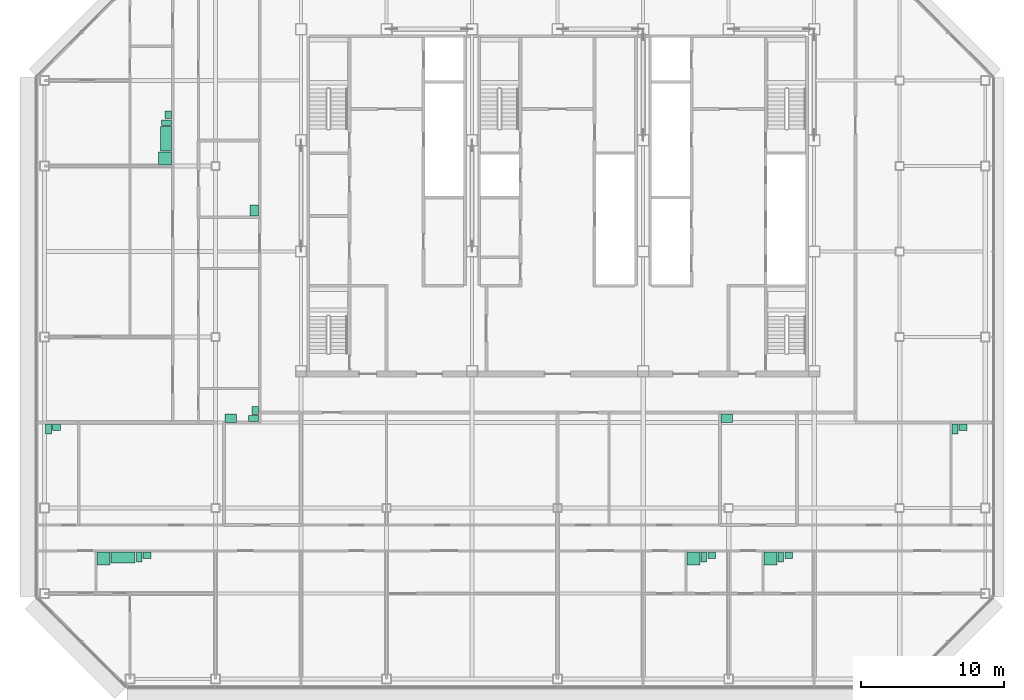
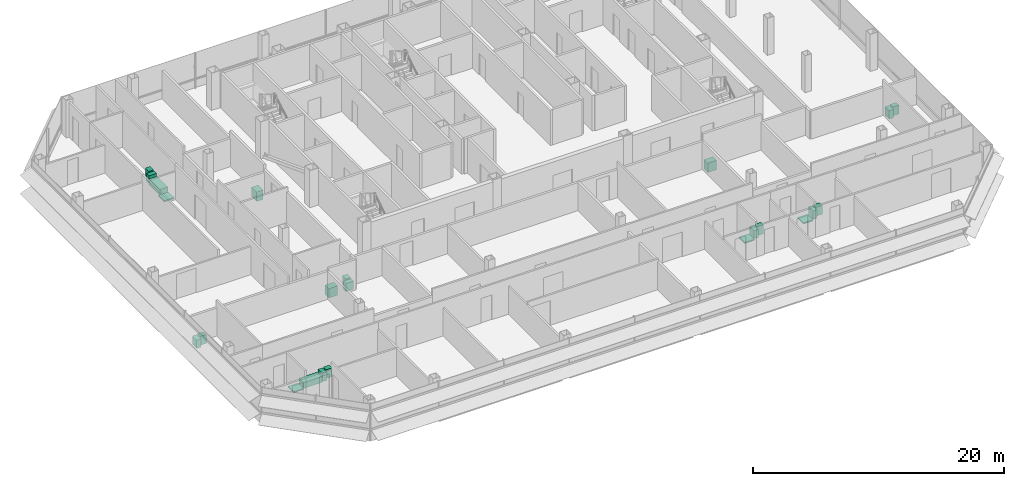
# One storey, part 26 of 26: 23 sanitary terminals.
"""IFC4 building model written with IfcOpenShell, lengths in metres."""

from ifc_helpers import new_model, si_unit, direction, frame, origin, origin_2d, place, context, subcontext, project, spatial, rectangle, extrude, element, save


model = new_model("IFC4")

# Units and contexts
model_context = context("Model", 3, precision=1e-05, world=origin(), true_north=direction((0.0, 1.0)))
body_context = subcontext(model_context, "Body", "Model", "MODEL_VIEW")
ifc_project = project(units=[si_unit("LENGTHUNIT", "METRE"), si_unit("AREAUNIT", "SQUARE_METRE"), si_unit("VOLUMEUNIT", "CUBIC_METRE"), si_unit("PLANEANGLEUNIT", "RADIAN"), si_unit("MASSUNIT", "GRAM", prefix="KILO")], contexts=[model_context])

# Site, building, storey
site_placement = place(None, origin())
site = spatial("IfcSite", under=ifc_project, at=site_placement, CompositionType="ELEMENT")
building_placement = place(site_placement, origin())
building = spatial("IfcBuilding", under=site, at=building_placement, Name="Sorahane Residences", CompositionType="ELEMENT")
storey_placement = place(building_placement, frame((0.0, 0.0, 243.199951171875)))
storey = spatial("IfcBuildingStorey", under=building, at=storey_placement, Name="L57", CompositionType="ELEMENT", Elevation=243.199951171875)

# Sanitary terminals
sanitary_terminal_1_placement = place(storey_placement, frame((-7.8701171875, 8.449951171875, 0.0), z_axis=(0.0, 0.0, 1.0), x_axis=(1.0, 0.0, 0.0)))
element("IfcSanitaryTerminal", 1, at=sanitary_terminal_1_placement, inside=storey, Name="Shower tray En-suite bathroom 57A", PredefinedType="SHOWER", context=body_context, shape_type="SweptSolid", body=[
    extrude(rectangle(XDim=0.89990234375, YDim=0.89990234375, at=origin_2d()), origin(), (0.0, 0.0, 1.0), 0.1201171875),
])
sanitary_terminal_2_placement = place(storey_placement, frame((-6.489990234375, 8.52490234375, 0.0), z_axis=(0.0, 0.0, 1.0), x_axis=(1.0, 0.0, 0.0)))
element("IfcSanitaryTerminal", 2, at=sanitary_terminal_2_placement, inside=storey, Name="Bath En-suite bathroom 57A", PredefinedType="BATH", context=body_context, shape_type="SweptSolid", body=[
    extrude(rectangle(XDim=1.699951171875, YDim=0.75, at=origin_2d()), origin(), (0.0, 0.0, 1.0), 0.56005859375),
])
sanitary_terminal_3_placement = place(storey_placement, frame((-5.360107421875, 8.550048828125, 0.0), z_axis=(0.0, 0.0, 1.0), x_axis=(1.0, 0.0, 0.0)))
element("IfcSanitaryTerminal", 3, at=sanitary_terminal_3_placement, inside=storey, Name="WC pan En-suite bathroom 57A", PredefinedType="TOILETPAN", context=body_context, shape_type="SweptSolid", body=[
    extrude(rectangle(XDim=0.39990234375, YDim=0.699951171875, at=origin_2d()), origin(), (0.0, 0.0, 1.0), 0.800048828125),
])
sanitary_terminal_4_placement = place(storey_placement, frame((-4.804931640625, 8.675048828125, 0.0), z_axis=(0.0, 0.0, 1.0), x_axis=(1.0, 0.0, 0.0)))
element("IfcSanitaryTerminal", 4, at=sanitary_terminal_4_placement, inside=storey, Name="Wash basin En-suite bathroom 57A", PredefinedType="WASHHANDBASIN", context=body_context, shape_type="SweptSolid", body=[
    extrude(rectangle(XDim=0.550048828125, YDim=0.449951171875, at=origin_2d()), origin(), (0.0, 0.0, 1.0), 0.85009765625),
])
sanitary_terminal_5_placement = place(storey_placement, frame((-11.719970703125, 17.550048828125, 0.0), z_axis=(0.0, 0.0, 1.0), x_axis=(1.0, 0.0, 0.0)))
element("IfcSanitaryTerminal", 5, at=sanitary_terminal_5_placement, inside=storey, Name="WC pan Powder room 57A", PredefinedType="TOILETPAN", context=body_context, shape_type="SweptSolid", body=[
    extrude(rectangle(XDim=0.39990234375, YDim=0.699951171875, at=origin_2d()), origin(), (0.0, 0.0, 1.0), 0.800048828125),
])
sanitary_terminal_6_placement = place(storey_placement, frame((-11.1650390625, 17.675048828125, 0.0), z_axis=(0.0, 0.0, 1.0), x_axis=(1.0, 0.0, 0.0)))
element("IfcSanitaryTerminal", 6, at=sanitary_terminal_6_placement, inside=storey, Name="Wash basin Powder room 57A", PredefinedType="WASHHANDBASIN", context=body_context, shape_type="SweptSolid", body=[
    extrude(rectangle(XDim=0.550048828125, YDim=0.449951171875, at=origin_2d()), origin(), (0.0, 0.0, 1.0), 0.85009765625),
])
sanitary_terminal_7_placement = place(storey_placement, frame((1.080078125, 18.300048828125, 0.0), z_axis=(0.0, 0.0, 1.0), x_axis=(1.0, 0.0, 0.0)))
element("IfcSanitaryTerminal", 7, at=sanitary_terminal_7_placement, inside=storey, Name="Kitchen sink Kitchen 57A", PredefinedType="SINK", context=body_context, shape_type="SweptSolid", body=[
    extrude(rectangle(XDim=0.800048828125, YDim=0.60009765625, at=origin_2d()), origin(), (0.0, 0.0, 1.0), 0.89990234375),
])
sanitary_terminal_8_placement = place(storey_placement, frame((33.530029296875, 8.449951171875, 0.0), z_axis=(0.0, 0.0, 1.0), x_axis=(1.0, 0.0, 0.0)))
element("IfcSanitaryTerminal", 8, at=sanitary_terminal_8_placement, inside=storey, Name="Shower tray En-suite bathroom 57B", PredefinedType="SHOWER", context=body_context, shape_type="SweptSolid", body=[
    extrude(rectangle(XDim=0.89990234375, YDim=0.89990234375, at=origin_2d()), origin(), (0.0, 0.0, 1.0), 0.1201171875),
])
sanitary_terminal_9_placement = place(storey_placement, frame((34.260009765625, 8.550048828125, 0.0), z_axis=(0.0, 0.0, 1.0), x_axis=(1.0, 0.0, 0.0)))
element("IfcSanitaryTerminal", 9, at=sanitary_terminal_9_placement, inside=storey, Name="WC pan En-suite bathroom 57B", PredefinedType="TOILETPAN", context=body_context, shape_type="SweptSolid", body=[
    extrude(rectangle(XDim=0.39990234375, YDim=0.699951171875, at=origin_2d()), origin(), (0.0, 0.0, 1.0), 0.800048828125),
])
sanitary_terminal_10_placement = place(storey_placement, frame((34.81494140625, 8.675048828125, 0.0), z_axis=(0.0, 0.0, 1.0), x_axis=(1.0, 0.0, 0.0)))
element("IfcSanitaryTerminal", 10, at=sanitary_terminal_10_placement, inside=storey, Name="Wash basin En-suite bathroom 57B", PredefinedType="WASHHANDBASIN", context=body_context, shape_type="SweptSolid", body=[
    extrude(rectangle(XDim=0.550048828125, YDim=0.449951171875, at=origin_2d()), origin(), (0.0, 0.0, 1.0), 0.85009765625),
])
sanitary_terminal_11_placement = place(storey_placement, frame((38.929931640625, 8.449951171875, 0.0), z_axis=(0.0, 0.0, 1.0), x_axis=(1.0, 0.0, 0.0)))
element("IfcSanitaryTerminal", 11, at=sanitary_terminal_11_placement, inside=storey, Name="Shower tray En-suite bathroom 57B-2", PredefinedType="SHOWER", context=body_context, shape_type="SweptSolid", body=[
    extrude(rectangle(XDim=0.89990234375, YDim=0.89990234375, at=origin_2d()), origin(), (0.0, 0.0, 1.0), 0.1201171875),
])
sanitary_terminal_12_placement = place(storey_placement, frame((39.659912109375, 8.550048828125, 0.0), z_axis=(0.0, 0.0, 1.0), x_axis=(1.0, 0.0, 0.0)))
element("IfcSanitaryTerminal", 12, at=sanitary_terminal_12_placement, inside=storey, Name="WC pan En-suite bathroom 57B-2", PredefinedType="TOILETPAN", context=body_context, shape_type="SweptSolid", body=[
    extrude(rectangle(XDim=0.39990234375, YDim=0.699951171875, at=origin_2d()), origin(), (0.0, 0.0, 1.0), 0.800048828125),
])
sanitary_terminal_13_placement = place(storey_placement, frame((40.215087890625, 8.675048828125, 0.0), z_axis=(0.0, 0.0, 1.0), x_axis=(1.0, 0.0, 0.0)))
element("IfcSanitaryTerminal", 13, at=sanitary_terminal_13_placement, inside=storey, Name="Wash basin En-suite bathroom 57B-2", PredefinedType="WASHHANDBASIN", context=body_context, shape_type="SweptSolid", body=[
    extrude(rectangle(XDim=0.550048828125, YDim=0.449951171875, at=origin_2d()), origin(), (0.0, 0.0, 1.0), 0.85009765625),
])
sanitary_terminal_14_placement = place(storey_placement, frame((35.8798828125, 18.300048828125, 0.0), z_axis=(0.0, 0.0, 1.0), x_axis=(1.0, 0.0, 0.0)))
element("IfcSanitaryTerminal", 14, at=sanitary_terminal_14_placement, inside=storey, Name="Kitchen sink Kitchen 57B", PredefinedType="SINK", context=body_context, shape_type="SweptSolid", body=[
    extrude(rectangle(XDim=0.800048828125, YDim=0.60009765625, at=origin_2d()), origin(), (0.0, 0.0, 1.0), 0.89990234375),
])
sanitary_terminal_15_placement = place(storey_placement, frame((51.8798828125, 17.550048828125, 0.0), z_axis=(0.0, 0.0, 1.0), x_axis=(1.0, 0.0, 0.0)))
element("IfcSanitaryTerminal", 15, at=sanitary_terminal_15_placement, inside=storey, Name="WC pan Powder room 57B", PredefinedType="TOILETPAN", context=body_context, shape_type="SweptSolid", body=[
    extrude(rectangle(XDim=0.39990234375, YDim=0.699951171875, at=origin_2d()), origin(), (0.0, 0.0, 1.0), 0.800048828125),
])
sanitary_terminal_16_placement = place(storey_placement, frame((52.43505859375, 17.675048828125, 0.0), z_axis=(0.0, 0.0, 1.0), x_axis=(1.0, 0.0, 0.0)))
element("IfcSanitaryTerminal", 16, at=sanitary_terminal_16_placement, inside=storey, Name="Wash basin Powder room 57B", PredefinedType="WASHHANDBASIN", context=body_context, shape_type="SweptSolid", body=[
    extrude(rectangle(XDim=0.550048828125, YDim=0.449951171875, at=origin_2d()), origin(), (0.0, 0.0, 1.0), 0.85009765625),
])
sanitary_terminal_17_placement = place(storey_placement, frame((-3.550048828125, 36.530029296875, 0.0), z_axis=(0.0, 0.0, 1.0), x_axis=(0.0, -1.0, 0.0)))
element("IfcSanitaryTerminal", 17, at=sanitary_terminal_17_placement, inside=storey, Name="Shower tray En-suite bathroom 57C", PredefinedType="SHOWER", context=body_context, shape_type="SweptSolid", body=[
    extrude(rectangle(XDim=0.89990234375, YDim=0.89990234375, at=origin_2d()), origin(), (0.0, 0.0, 1.0), 0.1201171875),
])
sanitary_terminal_18_placement = place(storey_placement, frame((-3.47509765625, 37.909912109375, 0.0), z_axis=(0.0, 0.0, 1.0), x_axis=(0.0, -1.0, 0.0)))
element("IfcSanitaryTerminal", 18, at=sanitary_terminal_18_placement, inside=storey, Name="Bath En-suite bathroom 57C", PredefinedType="BATH", context=body_context, shape_type="SweptSolid", body=[
    extrude(rectangle(XDim=1.699951171875, YDim=0.75, at=origin_2d()), origin(), (0.0, 0.0, 1.0), 0.56005859375),
])
sanitary_terminal_19_placement = place(storey_placement, frame((-3.449951171875, 39.0400390625, 0.0), z_axis=(0.0, 0.0, 1.0), x_axis=(0.0, -1.0, 0.0)))
element("IfcSanitaryTerminal", 19, at=sanitary_terminal_19_placement, inside=storey, Name="WC pan En-suite bathroom 57C", PredefinedType="TOILETPAN", context=body_context, shape_type="SweptSolid", body=[
    extrude(rectangle(XDim=0.39990234375, YDim=0.699951171875, at=origin_2d()), origin(), (0.0, 0.0, 1.0), 0.800048828125),
])
sanitary_terminal_20_placement = place(storey_placement, frame((-3.324951171875, 39.594970703125, 0.0), z_axis=(0.0, 0.0, 1.0), x_axis=(0.0, -1.0, 0.0)))
element("IfcSanitaryTerminal", 20, at=sanitary_terminal_20_placement, inside=storey, Name="Wash basin En-suite bathroom 57C", PredefinedType="WASHHANDBASIN", context=body_context, shape_type="SweptSolid", body=[
    extrude(rectangle(XDim=0.550048828125, YDim=0.449951171875, at=origin_2d()), origin(), (0.0, 0.0, 1.0), 0.85009765625),
])
sanitary_terminal_21_placement = place(storey_placement, frame((2.64990234375, 18.280029296875, 0.0), z_axis=(0.0, 0.0, 1.0), x_axis=(0.0, -1.0, 0.0)))
element("IfcSanitaryTerminal", 21, at=sanitary_terminal_21_placement, inside=storey, Name="WC pan Powder room 57C", PredefinedType="TOILETPAN", context=body_context, shape_type="SweptSolid", body=[
    extrude(rectangle(XDim=0.39990234375, YDim=0.699951171875, at=origin_2d()), origin(), (0.0, 0.0, 1.0), 0.800048828125),
])
sanitary_terminal_22_placement = place(storey_placement, frame((2.77490234375, 18.8349609375, 0.0), z_axis=(0.0, 0.0, 1.0), x_axis=(0.0, -1.0, 0.0)))
element("IfcSanitaryTerminal", 22, at=sanitary_terminal_22_placement, inside=storey, Name="Wash basin Powder room 57C", PredefinedType="WASHHANDBASIN", context=body_context, shape_type="SweptSolid", body=[
    extrude(rectangle(XDim=0.550048828125, YDim=0.449951171875, at=origin_2d()), origin(), (0.0, 0.0, 1.0), 0.85009765625),
])
sanitary_terminal_23_placement = place(storey_placement, frame((2.699951171875, 32.8798828125, 0.0), z_axis=(0.0, 0.0, 1.0), x_axis=(0.0, -1.0, 0.0)))
element("IfcSanitaryTerminal", 23, at=sanitary_terminal_23_placement, inside=storey, Name="Kitchen sink Kitchen 57C", PredefinedType="SINK", context=body_context, shape_type="SweptSolid", body=[
    extrude(rectangle(XDim=0.800048828125, YDim=0.60009765625, at=origin_2d()), origin(), (0.0, 0.0, 1.0), 0.89990234375),
])

save(model, "model.ifc")
